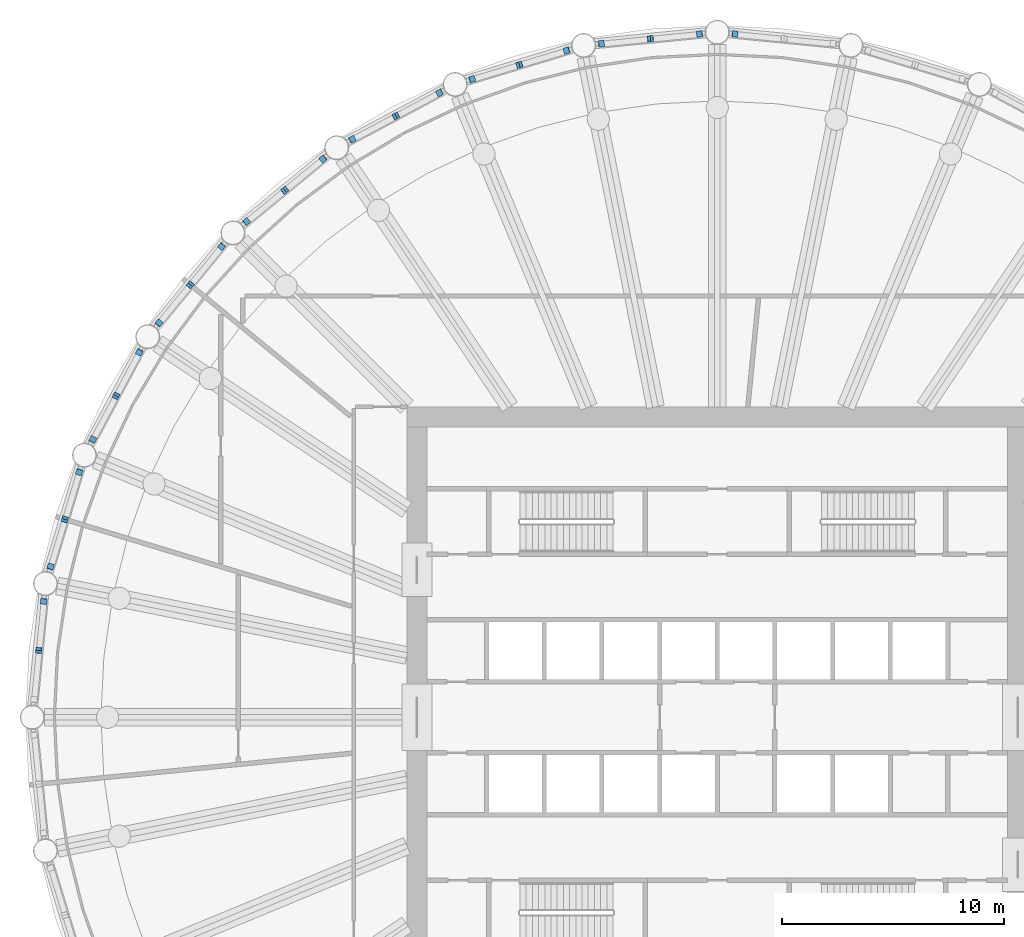
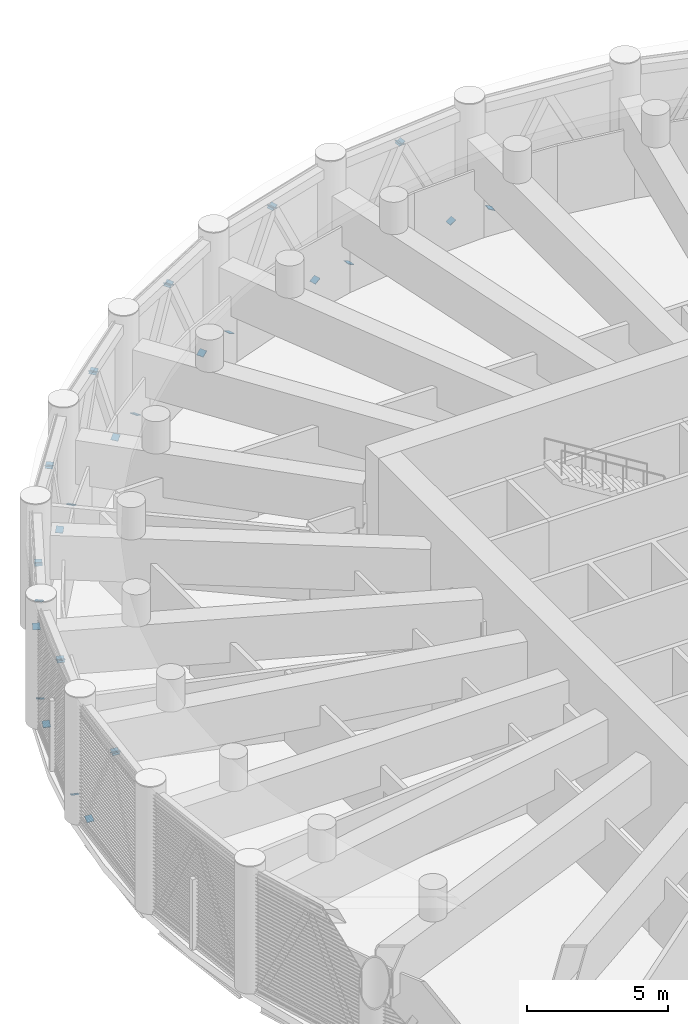
# One storey, part 14 of 23: 32 discrete accessories.
"""IFC4 building model written with IfcOpenShell, lengths in metres."""

from ifc_helpers import new_model, si_unit, direction, frame, origin, origin_2d, place, context, subcontext, project, spatial, rectangle, extrude, material, material_profile, profile_set, type_object, element, save


model = new_model("IFC4")

# Units and contexts
model_context = context("Model", 3, precision=1e-05, world=origin(), true_north=direction((0.0, 1.0)))
body_context = subcontext(model_context, "Body", "Model", "MODEL_VIEW")
ifc_project = project(units=[si_unit("LENGTHUNIT", "METRE"), si_unit("AREAUNIT", "SQUARE_METRE"), si_unit("VOLUMEUNIT", "CUBIC_METRE"), si_unit("PLANEANGLEUNIT", "RADIAN"), si_unit("MASSUNIT", "GRAM", prefix="KILO")], contexts=[model_context])

# Site, building, storey
site_placement = place(None, origin())
site = spatial("IfcSite", under=ifc_project, at=site_placement, CompositionType="ELEMENT")
building_placement = place(site_placement, origin())
building = spatial("IfcBuilding", under=site, at=building_placement, Name="Corvane Civic Tower", CompositionType="ELEMENT")
storey_placement = place(building_placement, frame((0.0, 0.0, 196.0)))
storey = spatial("IfcBuildingStorey", under=building, at=storey_placement, Name="L46", CompositionType="ELEMENT", Elevation=196.0)

# Discrete accessories
ifc_material = material(Name="Steel ASTM A572 Gr 50", Category="steel")
ifc_material_profile = material_profile(ifc_material, rectangle(XDim=0.2802734375, YDim=0.2802734375, at=origin_2d()), Name="GUSSET PLATE 25 IN HSS12X12X1/2")
ifc_profile_set = profile_set([ifc_material_profile], Name="Steel ASTM A572 Gr 50")
discrete_accessory_type = type_object("IfcDiscreteAccessoryType", Name="GUSSET PLATE 25 IN HSS12X12X1/2", PredefinedType="BRACKET", material=ifc_profile_set)
for number, where, z_axis, x_axis, name in (
    (1, (0.796142578125, 30.821533203125, 0.406494140625), (0.458345761298, -0.048760187372, 0.887435410172), (0.105786054594, 0.994388913179, 0.0), "Gusset plate BD1 end A"),
    (2, (-30.60302734375, 3.01416015625, 4.74365234375), (-0.048760187372, -0.458345761298, -0.887435410172), (0.994388913179, -0.105786054594, 0.0), "Gusset plate BD1 end B"),
    (3, (-30.384521484375, 5.232177734375, 0.406494140625), (-0.048760187372, -0.458345761298, 0.887435410172), (0.994388913179, -0.105786054594, 0.0), "Gusset plate BD1 end A"),
    (4, (-30.60302734375, 3.01416015625, 4.74365234375), (0.048760187372, 0.458345761298, -0.887435410172), (-0.994388913179, 0.105786054594, 0.0), "Gusset plate BD1 end B"),
):
    element("IfcDiscreteAccessory", number, at=place(storey_placement, frame(where, z_axis=z_axis, x_axis=x_axis)), inside=storey, type_object=discrete_accessory_type, Name=name, PredefinedType="BRACKET", context=body_context, shape_type="SweptSolid", body=[
        extrude(rectangle(XDim=0.2802734375, YDim=0.2802734375, at=origin_2d()), origin(), (0.0, 0.0, 1.0), 0.025146484375),
    ])
for number, where, z_axis, x_axis, name in (
    (5, (-30.073974609375, 6.7939453125, 0.406494140625), (0.13661300007, 0.439113214512, 0.887984500457), (-0.954856776331, 0.297066552636, 0.0), "Gusset plate BD1 end A"),
    (6, (-29.427001953125, 8.9267578125, 4.74365234375), (-0.13661300007, -0.439113214512, -0.887984500457), (0.954856776331, -0.297066552636, 0.0), "Gusset plate BD1 end B"),
    (7, (-28.780029296875, 11.059326171875, 0.406494140625), (-0.137195574142, -0.431186090161, 0.891771231924), (0.952925780013, -0.303203657277, 0.0), "Gusset plate BD1 end A"),
    (8, (-29.427001953125, 8.9267578125, 4.74365234375), (0.137195574142, 0.431186090161, -0.891771231924), (-0.952925780013, 0.303203657277, 0.0), "Gusset plate BD1 end B"),
    (9, (-28.170654296875, 12.530517578125, 0.406494140625), (0.215252235283, 0.401151893027, 0.890361518669), (-0.881160268064, 0.472817704815, 0.0), "Gusset plate BD1 end A"),
    (10, (-27.1201171875, 14.49609375, 4.74365234375), (-0.215252235283, -0.401151893027, -0.890361518669), (0.881160268064, -0.472817704815, 0.0), "Gusset plate BD1 end B"),
    (11, (-26.069580078125, 16.461669921875, 0.406494140625), (-0.215252235283, -0.401151893027, 0.890361518669), (0.881160268064, -0.472817704815, 0.0), "Gusset plate BD1 end A"),
    (12, (-27.1201171875, 14.49609375, 4.74365234375), (0.215252235283, 0.401151893027, -0.890361518669), (-0.881160268064, 0.472817704815, 0.0), "Gusset plate BD1 end B"),
    (13, (-25.184814453125, 17.78564453125, 0.406494140625), (0.293091202516, 0.351709443019, 0.889043314299), (-0.768221279597, 0.640184399664, 0.0), "Gusset plate BD1 end A"),
    (14, (-23.77099609375, 19.50830078125, 4.74365234375), (-0.293091202516, -0.351709443019, -0.889043314299), (0.768221279597, -0.640184399664, 0.0), "Gusset plate BD1 end B"),
    (15, (-22.357177734375, 21.231201171875, 0.406494140625), (-0.293091202516, -0.351709443019, 0.889043314299), (0.768221279597, -0.640184399664, 0.0), "Gusset plate BD1 end A"),
):
    element("IfcDiscreteAccessory", number, at=place(storey_placement, frame(where, z_axis=z_axis, x_axis=x_axis)), inside=storey, type_object=discrete_accessory_type, Name=name, PredefinedType="BRACKET", context=body_context, shape_type="SweptSolid", body=[
        extrude(rectangle(XDim=0.2802734375, YDim=0.2802734375, at=origin_2d()), origin(), (0.0, 0.0, 1.0), 0.02490234375),
    ])
discrete_accessory_1_placement = place(storey_placement, frame((-23.77099609375, 19.50830078125, 4.74365234375), z_axis=(0.292075430107, 0.360226363798, -0.88596213799), x_axis=(-0.77675574872, 0.629801958421, 0.0)))
element("IfcDiscreteAccessory", 16, at=discrete_accessory_1_placement, inside=storey, type_object=discrete_accessory_type, Name="Gusset plate BD1 end B", PredefinedType="BRACKET", context=body_context, shape_type="SweptSolid", body=[
    extrude(rectangle(XDim=0.2802734375, YDim=0.2802734375, at=origin_2d()), origin(), (0.0, 0.0, 1.0), 0.025146484375),
])
discrete_accessory_2_placement = place(storey_placement, frame((-21.231201171875, 22.357177734375, 0.406494140625), z_axis=(0.351709443019, 0.293091202516, 0.889043314299), x_axis=(-0.640184399664, 0.768221279597, 0.0)))
element("IfcDiscreteAccessory", 17, at=discrete_accessory_2_placement, inside=storey, type_object=discrete_accessory_type, Name="Gusset plate BD1 end A", PredefinedType="BRACKET", context=body_context, shape_type="SweptSolid", body=[
    extrude(rectangle(XDim=0.2802734375, YDim=0.2802734375, at=origin_2d()), origin(), (0.0, 0.0, 1.0), 0.02490234375),
])
discrete_accessory_3_placement = place(storey_placement, frame((-19.50830078125, 23.77099609375, 4.74365234375), z_axis=(-0.360226363798, -0.292075430107, -0.88596213799), x_axis=(0.629801958421, -0.77675574872, 0.0)))
element("IfcDiscreteAccessory", 18, at=discrete_accessory_3_placement, inside=storey, type_object=discrete_accessory_type, Name="Gusset plate BD1 end B", PredefinedType="BRACKET", context=body_context, shape_type="SweptSolid", body=[
    extrude(rectangle(XDim=0.2802734375, YDim=0.2802734375, at=origin_2d()), origin(), (0.0, 0.0, 1.0), 0.025146484375),
])
for number, where, z_axis, x_axis, name in (
    (19, (-17.78564453125, 25.184814453125, 0.406494140625), (-0.351709443019, -0.293091202516, 0.889043314299), (0.640184399664, -0.768221279597, 0.0), "Gusset plate BD1 end A"),
    (20, (-19.50830078125, 23.77099609375, 4.74365234375), (0.351709443019, 0.293091202516, -0.889043314299), (-0.640184399664, 0.768221279597, 0.0), "Gusset plate BD1 end B"),
    (21, (-16.461669921875, 26.069580078125, 0.406494140625), (0.401151893027, 0.215252235283, 0.890361518669), (-0.472817704815, 0.881160268064, 0.0), "Gusset plate BD1 end A"),
    (22, (-14.49609375, 27.1201171875, 4.74365234375), (-0.401151893027, -0.215252235283, -0.890361518669), (0.472817704815, -0.881160268064, 0.0), "Gusset plate BD1 end B"),
    (23, (-12.530517578125, 28.170654296875, 0.406494140625), (-0.401151893027, -0.215252235283, 0.890361518669), (0.472817704815, -0.881160268064, 0.0), "Gusset plate BD1 end A"),
    (24, (-14.49609375, 27.1201171875, 4.74365234375), (0.401151893027, 0.215252235283, -0.890361518669), (-0.472817704815, 0.881160268064, 0.0), "Gusset plate BD1 end B"),
    (25, (-11.059326171875, 28.780029296875, 0.406494140625), (0.431186090161, 0.137195574142, 0.891771231924), (-0.303203657277, 0.952925780013, 0.0), "Gusset plate BD1 end A"),
    (26, (-8.9267578125, 29.427001953125, 4.74365234375), (-0.431186090161, -0.137195574142, -0.891771231924), (0.303203657277, -0.952925780013, 0.0), "Gusset plate BD1 end B"),
    (27, (-6.7939453125, 30.073974609375, 0.406494140625), (-0.439113214512, -0.13661300007, 0.887984500457), (0.297066552636, -0.954856776331, 0.0), "Gusset plate BD1 end A"),
    (28, (-8.9267578125, 29.427001953125, 4.74365234375), (0.439113214512, 0.13661300007, -0.887984500457), (-0.297066552636, 0.954856776331, 0.0), "Gusset plate BD1 end B"),
):
    element("IfcDiscreteAccessory", number, at=place(storey_placement, frame(where, z_axis=z_axis, x_axis=x_axis)), inside=storey, type_object=discrete_accessory_type, Name=name, PredefinedType="BRACKET", context=body_context, shape_type="SweptSolid", body=[
        extrude(rectangle(XDim=0.2802734375, YDim=0.2802734375, at=origin_2d()), origin(), (0.0, 0.0, 1.0), 0.02490234375),
    ])
for number, where, z_axis, x_axis, name in (
    (29, (-5.232177734375, 30.384521484375, 0.406494140625), (0.458345761298, 0.048760187372, 0.887435410172), (-0.105786054594, 0.994388913179, 0.0), "Gusset plate BD1 end A"),
    (30, (-3.01416015625, 30.60302734375, 4.74365234375), (-0.458345761298, -0.048760187372, -0.887435410172), (0.105786054594, -0.994388913179, 0.0), "Gusset plate BD1 end B"),
    (31, (-0.796142578125, 30.821533203125, 0.406494140625), (-0.458345761298, -0.048760187372, 0.887435410172), (0.105786054594, -0.994388913179, 0.0), "Gusset plate BD1 end A"),
    (32, (-3.01416015625, 30.60302734375, 4.74365234375), (0.458345761298, 0.048760187372, -0.887435410172), (-0.105786054594, 0.994388913179, 0.0), "Gusset plate BD1 end B"),
):
    element("IfcDiscreteAccessory", number, at=place(storey_placement, frame(where, z_axis=z_axis, x_axis=x_axis)), inside=storey, type_object=discrete_accessory_type, Name=name, PredefinedType="BRACKET", context=body_context, shape_type="SweptSolid", body=[
        extrude(rectangle(XDim=0.2802734375, YDim=0.2802734375, at=origin_2d()), origin(), (0.0, 0.0, 1.0), 0.025146484375),
    ])

save(model, "model.ifc")
